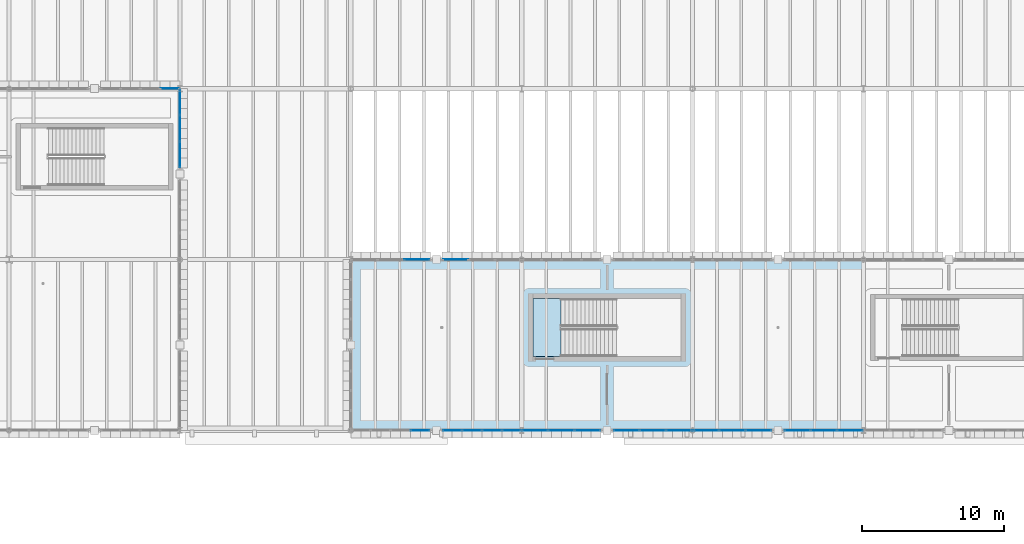
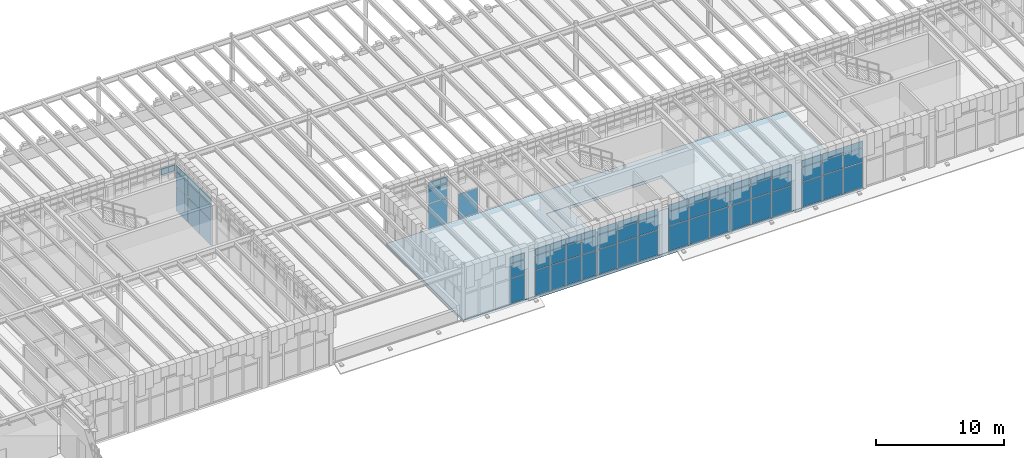
# One storey, part 50 of 100: 65 plates, 2 slabs, 10 elements without a shape of their own.
"""IFC4 building model written with IfcOpenShell, lengths in metres."""

from ifc_helpers import new_model, si_unit, direction, frame, origin, origin_2d, place, context, subcontext, project, spatial, polyline, rectangle, outline, extrude, material, layer, layer_set, type_object, element, aggregate, save


model = new_model("IFC4")

# Units and contexts
model_context = context("Model", 3, precision=1e-05, world=origin(), true_north=direction((0.0, 1.0)))
body_context = subcontext(model_context, "Body", "Model", "MODEL_VIEW")
ifc_project = project(units=[si_unit("LENGTHUNIT", "METRE"), si_unit("AREAUNIT", "SQUARE_METRE"), si_unit("VOLUMEUNIT", "CUBIC_METRE"), si_unit("PLANEANGLEUNIT", "RADIAN"), si_unit("MASSUNIT", "GRAM", prefix="KILO")], contexts=[model_context])

# Site, building, storey
site_placement = place(None, origin())
site = spatial("IfcSite", under=ifc_project, at=site_placement, CompositionType="ELEMENT")
building_placement = place(site_placement, origin())
building = spatial("IfcBuilding", under=site, at=building_placement, Name="Zlatogorsky Bluff Art Gallery", CompositionType="ELEMENT")
storey_placement = place(building_placement, frame((0.0, 0.0, 5.39990234375)))
storey = spatial("IfcBuildingStorey", under=building, at=storey_placement, Name="L01", CompositionType="ELEMENT", Elevation=5.39990234375)

# Curtain wall, plate
ifc_material_1 = material(Name="Anodised Bronze Aluminium and Low-Iron Triple Glazing", Category="aluminium")
ifc_layer_1 = layer(ifc_material_1, 0.199951171875)
ifc_layer_set_1 = layer_set([ifc_layer_1], Name="Curtain Wall CW-02")
curtain_wall_type_1 = type_object("IfcCurtainWallType", Name="Curtain Wall CW-02", PredefinedType="USERDEFINED", material=ifc_layer_set_1)
curtain_wall_1_placement = place(storey_placement, origin())
curtain_wall_1 = element("IfcCurtainWall", 1, at=curtain_wall_1_placement, inside=storey, type_object=curtain_wall_type_1, Name="Unitised curtain wall CW-02 L01 N 3.9-A", ObjectType="CURTAIN WALL", PredefinedType="USERDEFINED")
ifc_material_2 = material(Name="Low-Iron Laminated Triple Glazing", Category="glass")
ifc_layer_2 = layer(ifc_material_2, 0.035888671875)
ifc_layer_set_2 = layer_set([ifc_layer_2], Name="Glazed Curtain Panel CWP-01")
plate_type = type_object("IfcPlateType", Name="Glazed Curtain Panel CWP-01", PredefinedType="CURTAIN_PANEL", material=ifc_layer_set_2)
plate_1_placement = place(storey_placement, frame((47.2861328125, 108.0, 3.882568359375), z_axis=(0.0, 0.0, 1.0), x_axis=(-1.0, 0.0, 0.0)))
plate_1 = element("IfcPlate", 2, at=plate_1_placement, type_object=plate_type, Name="CW-02 panel 1.3", PredefinedType="CURTAIN_PANEL", context=body_context, shape_type="SweptSolid", body=[
    extrude(rectangle(XDim=1.297607421875, YDim=0.035888671875, at=origin_2d()), origin(), (0.0, 0.0, 1.0), 0.58251953125),
])
aggregate(curtain_wall_1, [plate_1])

# Curtain wall, plates
ifc_layer_3 = layer(ifc_material_1, 0.219970703125)
ifc_layer_set_3 = layer_set([ifc_layer_3], Name="Curtain Wall CW-04")
curtain_wall_type_2 = type_object("IfcCurtainWallType", Name="Curtain Wall CW-04", PredefinedType="USERDEFINED", material=ifc_layer_set_3)
curtain_wall_2_placement = place(storey_placement, origin())
curtain_wall_2 = element("IfcCurtainWall", 3, at=curtain_wall_2_placement, inside=storey, type_object=curtain_wall_type_2, Name="Unitised curtain wall CW-04 L01 E 3.9-B", ObjectType="CURTAIN WALL", PredefinedType="USERDEFINED")
plate_2_placement = place(storey_placement, frame((48.0, 103.3662109375, 0.065185546875), z_axis=(0.0, 0.0, 1.0), x_axis=(0.0, 1.0, 0.0)))
plate_2 = element("IfcPlate", 4, at=plate_2_placement, type_object=plate_type, Name="CW-04 panel 1.1", PredefinedType="CURTAIN_PANEL", context=body_context, shape_type="SweptSolid", body=[
    extrude(rectangle(XDim=1.762451171875, YDim=0.035888671875, at=origin_2d()), origin(), (0.0, 0.0, 1.0), 2.3525390625),
])
plate_3_placement = place(storey_placement, frame((48.0, 103.3662109375, 2.482666015625), z_axis=(0.0, 0.0, 1.0), x_axis=(0.0, 1.0, 0.0)))
plate_3 = element("IfcPlate", 5, at=plate_3_placement, type_object=plate_type, Name="CW-04 panel 1.2", PredefinedType="CURTAIN_PANEL", context=body_context, shape_type="SweptSolid", body=[
    extrude(rectangle(XDim=1.762451171875, YDim=0.035888671875, at=origin_2d()), origin(), (0.0, 0.0, 1.0), 1.3349609375),
])
plate_4_placement = place(storey_placement, frame((48.0, 103.3662109375, 3.882568359375), z_axis=(0.0, 0.0, 1.0), x_axis=(0.0, 1.0, 0.0)))
plate_4 = element("IfcPlate", 6, at=plate_4_placement, type_object=plate_type, Name="CW-04 panel 1.3", PredefinedType="CURTAIN_PANEL", context=body_context, shape_type="SweptSolid", body=[
    extrude(rectangle(XDim=1.762451171875, YDim=0.035888671875, at=origin_2d()), origin(), (0.0, 0.0, 1.0), 0.58251953125),
])
plate_5_placement = place(storey_placement, frame((48.0, 105.2099609375, 0.065185546875), z_axis=(0.0, 0.0, 1.0), x_axis=(0.0, 1.0, 0.0)))
plate_5 = element("IfcPlate", 7, at=plate_5_placement, type_object=plate_type, Name="CW-04 panel 2.1", PredefinedType="CURTAIN_PANEL", context=body_context, shape_type="SweptSolid", body=[
    extrude(rectangle(XDim=1.794921875, YDim=0.035888671875, at=origin_2d()), origin(), (0.0, 0.0, 1.0), 2.3525390625),
])
plate_6_placement = place(storey_placement, frame((48.0, 105.2099609375, 2.482666015625), z_axis=(0.0, 0.0, 1.0), x_axis=(0.0, 1.0, 0.0)))
plate_6 = element("IfcPlate", 8, at=plate_6_placement, type_object=plate_type, Name="CW-04 panel 2.2", PredefinedType="CURTAIN_PANEL", context=body_context, shape_type="SweptSolid", body=[
    extrude(rectangle(XDim=1.794921875, YDim=0.035888671875, at=origin_2d()), origin(), (0.0, 0.0, 1.0), 1.3349609375),
])
plate_7_placement = place(storey_placement, frame((48.0, 105.2099609375, 3.882568359375), z_axis=(0.0, 0.0, 1.0), x_axis=(0.0, 1.0, 0.0)))
plate_7 = element("IfcPlate", 9, at=plate_7_placement, type_object=plate_type, Name="CW-04 panel 2.3", PredefinedType="CURTAIN_PANEL", context=body_context, shape_type="SweptSolid", body=[
    extrude(rectangle(XDim=1.794921875, YDim=0.035888671875, at=origin_2d()), origin(), (0.0, 0.0, 1.0), 0.58251953125),
])
plate_8_placement = place(storey_placement, frame((48.0, 107.0537109375, 0.065185546875), z_axis=(0.0, 0.0, 1.0), x_axis=(0.0, 1.0, 0.0)))
plate_8 = element("IfcPlate", 10, at=plate_8_placement, type_object=plate_type, Name="CW-04 panel 3.1", PredefinedType="CURTAIN_PANEL", context=body_context, shape_type="SweptSolid", body=[
    extrude(rectangle(XDim=1.762451171875, YDim=0.035888671875, at=origin_2d()), origin(), (0.0, 0.0, 1.0), 2.3525390625),
])
plate_9_placement = place(storey_placement, frame((48.0, 107.0537109375, 2.482666015625), z_axis=(0.0, 0.0, 1.0), x_axis=(0.0, 1.0, 0.0)))
plate_9 = element("IfcPlate", 11, at=plate_9_placement, type_object=plate_type, Name="CW-04 panel 3.2", PredefinedType="CURTAIN_PANEL", context=body_context, shape_type="SweptSolid", body=[
    extrude(rectangle(XDim=1.762451171875, YDim=0.035888671875, at=origin_2d()), origin(), (0.0, 0.0, 1.0), 1.3349609375),
])
plate_10_placement = place(storey_placement, frame((48.0, 107.0537109375, 3.882568359375), z_axis=(0.0, 0.0, 1.0), x_axis=(0.0, 1.0, 0.0)))
plate_10 = element("IfcPlate", 12, at=plate_10_placement, type_object=plate_type, Name="CW-04 panel 3.3", PredefinedType="CURTAIN_PANEL", context=body_context, shape_type="SweptSolid", body=[
    extrude(rectangle(XDim=1.762451171875, YDim=0.035888671875, at=origin_2d()), origin(), (0.0, 0.0, 1.0), 0.58251953125),
])
aggregate(curtain_wall_2, [plate_2, plate_3, plate_4, plate_5, plate_6, plate_7, plate_8, plate_9, plate_10])

curtain_wall_3_placement = place(storey_placement, origin())
curtain_wall_3 = element("IfcCurtainWall", 13, at=curtain_wall_3_placement, inside=storey, type_object=curtain_wall_type_1, Name="Unitised curtain wall CW-02 L01 S 5.8-A", ObjectType="CURTAIN WALL", PredefinedType="USERDEFINED")
plate_11_placement = place(storey_placement, frame((64.8662109375, 84.0, 0.065185546875), z_axis=(0.0, 0.0, 1.0), x_axis=(1.0, 0.0, 0.0)))
plate_11 = element("IfcPlate", 14, at=plate_11_placement, type_object=plate_type, Name="CW-02 panel 4.1", PredefinedType="CURTAIN_PANEL", context=body_context, shape_type="SweptSolid", body=[
    extrude(rectangle(XDim=1.297607421875, YDim=0.035888671875, at=origin_2d()), origin(), (0.0, 0.0, 1.0), 2.3525390625),
])
plate_12_placement = place(storey_placement, frame((64.8662109375, 84.0, 2.482666015625), z_axis=(0.0, 0.0, 1.0), x_axis=(1.0, 0.0, 0.0)))
plate_12 = element("IfcPlate", 15, at=plate_12_placement, type_object=plate_type, Name="CW-02 panel 4.2", PredefinedType="CURTAIN_PANEL", context=body_context, shape_type="SweptSolid", body=[
    extrude(rectangle(XDim=1.297607421875, YDim=0.035888671875, at=origin_2d()), origin(), (0.0, 0.0, 1.0), 1.3349609375),
])
plate_13_placement = place(storey_placement, frame((64.8662109375, 84.0, 3.882568359375), z_axis=(0.0, 0.0, 1.0), x_axis=(1.0, 0.0, 0.0)))
plate_13 = element("IfcPlate", 16, at=plate_13_placement, type_object=plate_type, Name="CW-02 panel 4.3", PredefinedType="CURTAIN_PANEL", context=body_context, shape_type="SweptSolid", body=[
    extrude(rectangle(XDim=1.297607421875, YDim=0.035888671875, at=origin_2d()), origin(), (0.0, 0.0, 1.0), 0.58251953125),
])
aggregate(curtain_wall_3, [plate_11, plate_12, plate_13])

curtain_wall_4_placement = place(storey_placement, origin())
curtain_wall_4 = element("IfcCurtainWall", 17, at=curtain_wall_4_placement, inside=storey, type_object=curtain_wall_type_1, Name="Unitised curtain wall CW-02 L01 S 5.8-B", ObjectType="CURTAIN WALL", PredefinedType="USERDEFINED")
plate_14_placement = place(storey_placement, frame((67.1337890625, 84.0, 0.065185546875), z_axis=(0.0, 0.0, 1.0), x_axis=(1.0, 0.0, 0.0)))
plate_14 = element("IfcPlate", 18, at=plate_14_placement, type_object=plate_type, Name="CW-02 panel 1.1", PredefinedType="CURTAIN_PANEL", context=body_context, shape_type="SweptSolid", body=[
    extrude(rectangle(XDim=1.297607421875, YDim=0.035888671875, at=origin_2d()), origin(), (0.0, 0.0, 1.0), 2.3525390625),
])
plate_15_placement = place(storey_placement, frame((67.1337890625, 84.0, 2.482666015625), z_axis=(0.0, 0.0, 1.0), x_axis=(1.0, 0.0, 0.0)))
plate_15 = element("IfcPlate", 19, at=plate_15_placement, type_object=plate_type, Name="CW-02 panel 1.2", PredefinedType="CURTAIN_PANEL", context=body_context, shape_type="SweptSolid", body=[
    extrude(rectangle(XDim=1.297607421875, YDim=0.035888671875, at=origin_2d()), origin(), (0.0, 0.0, 1.0), 1.3349609375),
])
plate_16_placement = place(storey_placement, frame((67.1337890625, 84.0, 3.882568359375), z_axis=(0.0, 0.0, 1.0), x_axis=(1.0, 0.0, 0.0)))
plate_16 = element("IfcPlate", 20, at=plate_16_placement, type_object=plate_type, Name="CW-02 panel 1.3", PredefinedType="CURTAIN_PANEL", context=body_context, shape_type="SweptSolid", body=[
    extrude(rectangle(XDim=1.297607421875, YDim=0.035888671875, at=origin_2d()), origin(), (0.0, 0.0, 1.0), 0.58251953125),
])
plate_17_placement = place(storey_placement, frame((68.512451171875, 84.0, 0.065185546875), z_axis=(0.0, 0.0, 1.0), x_axis=(1.0, 0.0, 0.0)))
plate_17 = element("IfcPlate", 21, at=plate_17_placement, type_object=plate_type, Name="CW-02 panel 2.1", PredefinedType="CURTAIN_PANEL", context=body_context, shape_type="SweptSolid", body=[
    extrude(rectangle(XDim=1.330078125, YDim=0.035888671875, at=origin_2d()), origin(), (0.0, 0.0, 1.0), 2.3525390625),
])
plate_18_placement = place(storey_placement, frame((68.512451171875, 84.0, 2.482666015625), z_axis=(0.0, 0.0, 1.0), x_axis=(1.0, 0.0, 0.0)))
plate_18 = element("IfcPlate", 22, at=plate_18_placement, type_object=plate_type, Name="CW-02 panel 2.2", PredefinedType="CURTAIN_PANEL", context=body_context, shape_type="SweptSolid", body=[
    extrude(rectangle(XDim=1.330078125, YDim=0.035888671875, at=origin_2d()), origin(), (0.0, 0.0, 1.0), 1.3349609375),
])
plate_19_placement = place(storey_placement, frame((68.512451171875, 84.0, 3.882568359375), z_axis=(0.0, 0.0, 1.0), x_axis=(1.0, 0.0, 0.0)))
plate_19 = element("IfcPlate", 23, at=plate_19_placement, type_object=plate_type, Name="CW-02 panel 2.3", PredefinedType="CURTAIN_PANEL", context=body_context, shape_type="SweptSolid", body=[
    extrude(rectangle(XDim=1.330078125, YDim=0.035888671875, at=origin_2d()), origin(), (0.0, 0.0, 1.0), 0.58251953125),
])
plate_20_placement = place(storey_placement, frame((69.907470703125, 84.0, 0.065185546875), z_axis=(0.0, 0.0, 1.0), x_axis=(1.0, 0.0, 0.0)))
plate_20 = element("IfcPlate", 24, at=plate_20_placement, type_object=plate_type, Name="CW-02 panel 3.1", PredefinedType="CURTAIN_PANEL", context=body_context, shape_type="SweptSolid", body=[
    extrude(rectangle(XDim=1.330078125, YDim=0.035888671875, at=origin_2d()), origin(), (0.0, 0.0, 1.0), 2.3525390625),
])
plate_21_placement = place(storey_placement, frame((69.907470703125, 84.0, 2.482666015625), z_axis=(0.0, 0.0, 1.0), x_axis=(1.0, 0.0, 0.0)))
plate_21 = element("IfcPlate", 25, at=plate_21_placement, type_object=plate_type, Name="CW-02 panel 3.2", PredefinedType="CURTAIN_PANEL", context=body_context, shape_type="SweptSolid", body=[
    extrude(rectangle(XDim=1.330078125, YDim=0.035888671875, at=origin_2d()), origin(), (0.0, 0.0, 1.0), 1.3349609375),
])
plate_22_placement = place(storey_placement, frame((69.907470703125, 84.0, 3.882568359375), z_axis=(0.0, 0.0, 1.0), x_axis=(1.0, 0.0, 0.0)))
plate_22 = element("IfcPlate", 26, at=plate_22_placement, type_object=plate_type, Name="CW-02 panel 3.3", PredefinedType="CURTAIN_PANEL", context=body_context, shape_type="SweptSolid", body=[
    extrude(rectangle(XDim=1.330078125, YDim=0.035888671875, at=origin_2d()), origin(), (0.0, 0.0, 1.0), 0.58251953125),
])
plate_23_placement = place(storey_placement, frame((71.2861328125, 84.0, 0.065185546875), z_axis=(0.0, 0.0, 1.0), x_axis=(1.0, 0.0, 0.0)))
plate_23 = element("IfcPlate", 27, at=plate_23_placement, type_object=plate_type, Name="CW-02 panel 4.1", PredefinedType="CURTAIN_PANEL", context=body_context, shape_type="SweptSolid", body=[
    extrude(rectangle(XDim=1.297607421875, YDim=0.035888671875, at=origin_2d()), origin(), (0.0, 0.0, 1.0), 2.3525390625),
])
plate_24_placement = place(storey_placement, frame((71.2861328125, 84.0, 2.482666015625), z_axis=(0.0, 0.0, 1.0), x_axis=(1.0, 0.0, 0.0)))
plate_24 = element("IfcPlate", 28, at=plate_24_placement, type_object=plate_type, Name="CW-02 panel 4.2", PredefinedType="CURTAIN_PANEL", context=body_context, shape_type="SweptSolid", body=[
    extrude(rectangle(XDim=1.297607421875, YDim=0.035888671875, at=origin_2d()), origin(), (0.0, 0.0, 1.0), 1.3349609375),
])
plate_25_placement = place(storey_placement, frame((71.2861328125, 84.0, 3.882568359375), z_axis=(0.0, 0.0, 1.0), x_axis=(1.0, 0.0, 0.0)))
plate_25 = element("IfcPlate", 29, at=plate_25_placement, type_object=plate_type, Name="CW-02 panel 4.3", PredefinedType="CURTAIN_PANEL", context=body_context, shape_type="SweptSolid", body=[
    extrude(rectangle(XDim=1.297607421875, YDim=0.035888671875, at=origin_2d()), origin(), (0.0, 0.0, 1.0), 0.58251953125),
])
aggregate(curtain_wall_4, [plate_14, plate_15, plate_16, plate_17, plate_18, plate_19, plate_20, plate_21, plate_22, plate_23, plate_24, plate_25])

# Curtain wall, plate
curtain_wall_5_placement = place(storey_placement, origin())
curtain_wall_5 = element("IfcCurtainWall", 30, at=curtain_wall_5_placement, inside=storey, type_object=curtain_wall_type_2, Name="Unitised curtain wall CW-04 L01 N 5.8-A", ObjectType="CURTAIN WALL", PredefinedType="USERDEFINED")
plate_26_placement = place(storey_placement, frame((67.3662109375, 96.0, 0.065185546875), z_axis=(0.0, 0.0, 1.0), x_axis=(-1.0, 0.0, 0.0)))
plate_26 = element("IfcPlate", 31, at=plate_26_placement, type_object=plate_type, Name="CW-04 panel 3.1", PredefinedType="CURTAIN_PANEL", context=body_context, shape_type="SweptSolid", body=[
    extrude(rectangle(XDim=1.762451171875, YDim=0.035888671875, at=origin_2d()), origin(), (0.0, 0.0, 1.0), 2.3525390625),
])
aggregate(curtain_wall_5, [plate_26])

# Curtain wall, plates
curtain_wall_6_placement = place(storey_placement, origin())
curtain_wall_6 = element("IfcCurtainWall", 32, at=curtain_wall_6_placement, inside=storey, type_object=curtain_wall_type_2, Name="Unitised curtain wall CW-04 L01 N 5.8-B", ObjectType="CURTAIN WALL", PredefinedType="USERDEFINED")
plate_27_placement = place(storey_placement, frame((64.6337890625, 96.0, 0.065185546875), z_axis=(0.0, 0.0, 1.0), x_axis=(-1.0, 0.0, 0.0)))
plate_27 = element("IfcPlate", 33, at=plate_27_placement, type_object=plate_type, Name="CW-04 panel 1.1", PredefinedType="CURTAIN_PANEL", context=body_context, shape_type="SweptSolid", body=[
    extrude(rectangle(XDim=1.762451171875, YDim=0.035888671875, at=origin_2d()), origin(), (0.0, 0.0, 1.0), 2.3525390625),
])
plate_28_placement = place(storey_placement, frame((64.6337890625, 96.0, 2.482666015625), z_axis=(0.0, 0.0, 1.0), x_axis=(-1.0, 0.0, 0.0)))
plate_28 = element("IfcPlate", 34, at=plate_28_placement, type_object=plate_type, Name="CW-04 panel 1.2", PredefinedType="CURTAIN_PANEL", context=body_context, shape_type="SweptSolid", body=[
    extrude(rectangle(XDim=1.762451171875, YDim=0.035888671875, at=origin_2d()), origin(), (0.0, 0.0, 1.0), 1.3349609375),
])
plate_29_placement = place(storey_placement, frame((64.6337890625, 96.0, 3.882568359375), z_axis=(0.0, 0.0, 1.0), x_axis=(-1.0, 0.0, 0.0)))
plate_29 = element("IfcPlate", 35, at=plate_29_placement, type_object=plate_type, Name="CW-04 panel 1.3", PredefinedType="CURTAIN_PANEL", context=body_context, shape_type="SweptSolid", body=[
    extrude(rectangle(XDim=1.762451171875, YDim=0.035888671875, at=origin_2d()), origin(), (0.0, 0.0, 1.0), 0.58251953125),
])
aggregate(curtain_wall_6, [plate_27, plate_28, plate_29])

curtain_wall_7_placement = place(storey_placement, origin())
curtain_wall_7 = element("IfcCurtainWall", 36, at=curtain_wall_7_placement, inside=storey, type_object=curtain_wall_type_2, Name="Unitised curtain wall CW-04 L01 S 6.8-A", ObjectType="CURTAIN WALL", PredefinedType="USERDEFINED")
plate_30_placement = place(storey_placement, frame((72.9462890625, 84.0, 0.065185546875), z_axis=(0.0, 0.0, 1.0), x_axis=(1.0, 0.0, 0.0)))
plate_30 = element("IfcPlate", 37, at=plate_30_placement, type_object=plate_type, Name="CW-04 panel 1.1", PredefinedType="CURTAIN_PANEL", context=body_context, shape_type="SweptSolid", body=[
    extrude(rectangle(XDim=1.762451171875, YDim=0.035888671875, at=origin_2d()), origin(), (0.0, 0.0, 1.0), 2.3525390625),
])
plate_31_placement = place(storey_placement, frame((72.9462890625, 84.0, 2.482666015625), z_axis=(0.0, 0.0, 1.0), x_axis=(1.0, 0.0, 0.0)))
plate_31 = element("IfcPlate", 38, at=plate_31_placement, type_object=plate_type, Name="CW-04 panel 1.2", PredefinedType="CURTAIN_PANEL", context=body_context, shape_type="SweptSolid", body=[
    extrude(rectangle(XDim=1.762451171875, YDim=0.035888671875, at=origin_2d()), origin(), (0.0, 0.0, 1.0), 1.3349609375),
])
plate_32_placement = place(storey_placement, frame((72.9462890625, 84.0, 3.882568359375), z_axis=(0.0, 0.0, 1.0), x_axis=(1.0, 0.0, 0.0)))
plate_32 = element("IfcPlate", 39, at=plate_32_placement, type_object=plate_type, Name="CW-04 panel 1.3", PredefinedType="CURTAIN_PANEL", context=body_context, shape_type="SweptSolid", body=[
    extrude(rectangle(XDim=1.762451171875, YDim=0.035888671875, at=origin_2d()), origin(), (0.0, 0.0, 1.0), 0.58251953125),
])
plate_33_placement = place(storey_placement, frame((74.7900390625, 84.0, 0.065185546875), z_axis=(0.0, 0.0, 1.0), x_axis=(1.0, 0.0, 0.0)))
plate_33 = element("IfcPlate", 40, at=plate_33_placement, type_object=plate_type, Name="CW-04 panel 2.1", PredefinedType="CURTAIN_PANEL", context=body_context, shape_type="SweptSolid", body=[
    extrude(rectangle(XDim=1.794921875, YDim=0.035888671875, at=origin_2d()), origin(), (0.0, 0.0, 1.0), 2.3525390625),
])
plate_34_placement = place(storey_placement, frame((74.7900390625, 84.0, 2.482666015625), z_axis=(0.0, 0.0, 1.0), x_axis=(1.0, 0.0, 0.0)))
plate_34 = element("IfcPlate", 41, at=plate_34_placement, type_object=plate_type, Name="CW-04 panel 2.2", PredefinedType="CURTAIN_PANEL", context=body_context, shape_type="SweptSolid", body=[
    extrude(rectangle(XDim=1.794921875, YDim=0.035888671875, at=origin_2d()), origin(), (0.0, 0.0, 1.0), 1.3349609375),
])
plate_35_placement = place(storey_placement, frame((74.7900390625, 84.0, 3.882568359375), z_axis=(0.0, 0.0, 1.0), x_axis=(1.0, 0.0, 0.0)))
plate_35 = element("IfcPlate", 42, at=plate_35_placement, type_object=plate_type, Name="CW-04 panel 2.3", PredefinedType="CURTAIN_PANEL", context=body_context, shape_type="SweptSolid", body=[
    extrude(rectangle(XDim=1.794921875, YDim=0.035888671875, at=origin_2d()), origin(), (0.0, 0.0, 1.0), 0.58251953125),
])
plate_36_placement = place(storey_placement, frame((76.6337890625, 84.0, 0.065185546875), z_axis=(0.0, 0.0, 1.0), x_axis=(1.0, 0.0, 0.0)))
plate_36 = element("IfcPlate", 43, at=plate_36_placement, type_object=plate_type, Name="CW-04 panel 3.1", PredefinedType="CURTAIN_PANEL", context=body_context, shape_type="SweptSolid", body=[
    extrude(rectangle(XDim=1.762451171875, YDim=0.035888671875, at=origin_2d()), origin(), (0.0, 0.0, 1.0), 2.3525390625),
])
plate_37_placement = place(storey_placement, frame((76.6337890625, 84.0, 2.482666015625), z_axis=(0.0, 0.0, 1.0), x_axis=(1.0, 0.0, 0.0)))
plate_37 = element("IfcPlate", 44, at=plate_37_placement, type_object=plate_type, Name="CW-04 panel 3.2", PredefinedType="CURTAIN_PANEL", context=body_context, shape_type="SweptSolid", body=[
    extrude(rectangle(XDim=1.762451171875, YDim=0.035888671875, at=origin_2d()), origin(), (0.0, 0.0, 1.0), 1.3349609375),
])
plate_38_placement = place(storey_placement, frame((76.6337890625, 84.0, 3.882568359375), z_axis=(0.0, 0.0, 1.0), x_axis=(1.0, 0.0, 0.0)))
plate_38 = element("IfcPlate", 45, at=plate_38_placement, type_object=plate_type, Name="CW-04 panel 3.3", PredefinedType="CURTAIN_PANEL", context=body_context, shape_type="SweptSolid", body=[
    extrude(rectangle(XDim=1.762451171875, YDim=0.035888671875, at=origin_2d()), origin(), (0.0, 0.0, 1.0), 0.58251953125),
])
aggregate(curtain_wall_7, [plate_30, plate_31, plate_32, plate_33, plate_34, plate_35, plate_36, plate_37, plate_38])

curtain_wall_8_placement = place(storey_placement, origin())
curtain_wall_8 = element("IfcCurtainWall", 46, at=curtain_wall_8_placement, inside=storey, type_object=curtain_wall_type_2, Name="Unitised curtain wall CW-04 L01 S 6.8-B", ObjectType="CURTAIN WALL", PredefinedType="USERDEFINED")
plate_39_placement = place(storey_placement, frame((79.3662109375, 84.0, 0.065185546875), z_axis=(0.0, 0.0, 1.0), x_axis=(1.0, 0.0, 0.0)))
plate_39 = element("IfcPlate", 47, at=plate_39_placement, type_object=plate_type, Name="CW-04 panel 1.1", PredefinedType="CURTAIN_PANEL", context=body_context, shape_type="SweptSolid", body=[
    extrude(rectangle(XDim=1.762451171875, YDim=0.035888671875, at=origin_2d()), origin(), (0.0, 0.0, 1.0), 2.3525390625),
])
plate_40_placement = place(storey_placement, frame((79.3662109375, 84.0, 2.482666015625), z_axis=(0.0, 0.0, 1.0), x_axis=(1.0, 0.0, 0.0)))
plate_40 = element("IfcPlate", 48, at=plate_40_placement, type_object=plate_type, Name="CW-04 panel 1.2", PredefinedType="CURTAIN_PANEL", context=body_context, shape_type="SweptSolid", body=[
    extrude(rectangle(XDim=1.762451171875, YDim=0.035888671875, at=origin_2d()), origin(), (0.0, 0.0, 1.0), 1.3349609375),
])
plate_41_placement = place(storey_placement, frame((79.3662109375, 84.0, 3.882568359375), z_axis=(0.0, 0.0, 1.0), x_axis=(1.0, 0.0, 0.0)))
plate_41 = element("IfcPlate", 49, at=plate_41_placement, type_object=plate_type, Name="CW-04 panel 1.3", PredefinedType="CURTAIN_PANEL", context=body_context, shape_type="SweptSolid", body=[
    extrude(rectangle(XDim=1.762451171875, YDim=0.035888671875, at=origin_2d()), origin(), (0.0, 0.0, 1.0), 0.58251953125),
])
plate_42_placement = place(storey_placement, frame((81.2099609375, 84.0, 0.065185546875), z_axis=(0.0, 0.0, 1.0), x_axis=(1.0, 0.0, 0.0)))
plate_42 = element("IfcPlate", 50, at=plate_42_placement, type_object=plate_type, Name="CW-04 panel 2.1", PredefinedType="CURTAIN_PANEL", context=body_context, shape_type="SweptSolid", body=[
    extrude(rectangle(XDim=1.794921875, YDim=0.035888671875, at=origin_2d()), origin(), (0.0, 0.0, 1.0), 2.3525390625),
])
plate_43_placement = place(storey_placement, frame((81.2099609375, 84.0, 2.482666015625), z_axis=(0.0, 0.0, 1.0), x_axis=(1.0, 0.0, 0.0)))
plate_43 = element("IfcPlate", 51, at=plate_43_placement, type_object=plate_type, Name="CW-04 panel 2.2", PredefinedType="CURTAIN_PANEL", context=body_context, shape_type="SweptSolid", body=[
    extrude(rectangle(XDim=1.794921875, YDim=0.035888671875, at=origin_2d()), origin(), (0.0, 0.0, 1.0), 1.3349609375),
])
plate_44_placement = place(storey_placement, frame((81.2099609375, 84.0, 3.882568359375), z_axis=(0.0, 0.0, 1.0), x_axis=(1.0, 0.0, 0.0)))
plate_44 = element("IfcPlate", 52, at=plate_44_placement, type_object=plate_type, Name="CW-04 panel 2.3", PredefinedType="CURTAIN_PANEL", context=body_context, shape_type="SweptSolid", body=[
    extrude(rectangle(XDim=1.794921875, YDim=0.035888671875, at=origin_2d()), origin(), (0.0, 0.0, 1.0), 0.58251953125),
])
plate_45_placement = place(storey_placement, frame((83.0537109375, 84.0, 0.065185546875), z_axis=(0.0, 0.0, 1.0), x_axis=(1.0, 0.0, 0.0)))
plate_45 = element("IfcPlate", 53, at=plate_45_placement, type_object=plate_type, Name="CW-04 panel 3.1", PredefinedType="CURTAIN_PANEL", context=body_context, shape_type="SweptSolid", body=[
    extrude(rectangle(XDim=1.762451171875, YDim=0.035888671875, at=origin_2d()), origin(), (0.0, 0.0, 1.0), 2.3525390625),
])
plate_46_placement = place(storey_placement, frame((83.0537109375, 84.0, 2.482666015625), z_axis=(0.0, 0.0, 1.0), x_axis=(1.0, 0.0, 0.0)))
plate_46 = element("IfcPlate", 54, at=plate_46_placement, type_object=plate_type, Name="CW-04 panel 3.2", PredefinedType="CURTAIN_PANEL", context=body_context, shape_type="SweptSolid", body=[
    extrude(rectangle(XDim=1.762451171875, YDim=0.035888671875, at=origin_2d()), origin(), (0.0, 0.0, 1.0), 1.3349609375),
])
plate_47_placement = place(storey_placement, frame((83.0537109375, 84.0, 3.882568359375), z_axis=(0.0, 0.0, 1.0), x_axis=(1.0, 0.0, 0.0)))
plate_47 = element("IfcPlate", 55, at=plate_47_placement, type_object=plate_type, Name="CW-04 panel 3.3", PredefinedType="CURTAIN_PANEL", context=body_context, shape_type="SweptSolid", body=[
    extrude(rectangle(XDim=1.762451171875, YDim=0.035888671875, at=origin_2d()), origin(), (0.0, 0.0, 1.0), 0.58251953125),
])
aggregate(curtain_wall_8, [plate_39, plate_40, plate_41, plate_42, plate_43, plate_44, plate_45, plate_46, plate_47])

curtain_wall_9_placement = place(storey_placement, origin())
curtain_wall_9 = element("IfcCurtainWall", 56, at=curtain_wall_9_placement, inside=storey, type_object=curtain_wall_type_2, Name="Unitised curtain wall CW-04 L01 S 7.8-A", ObjectType="CURTAIN WALL", PredefinedType="USERDEFINED")
plate_48_placement = place(storey_placement, frame((84.9462890625, 84.0, 0.065185546875), z_axis=(0.0, 0.0, 1.0), x_axis=(1.0, 0.0, 0.0)))
plate_48 = element("IfcPlate", 57, at=plate_48_placement, type_object=plate_type, Name="CW-04 panel 1.1", PredefinedType="CURTAIN_PANEL", context=body_context, shape_type="SweptSolid", body=[
    extrude(rectangle(XDim=1.762451171875, YDim=0.035888671875, at=origin_2d()), origin(), (0.0, 0.0, 1.0), 2.3525390625),
])
plate_49_placement = place(storey_placement, frame((84.9462890625, 84.0, 2.482666015625), z_axis=(0.0, 0.0, 1.0), x_axis=(1.0, 0.0, 0.0)))
plate_49 = element("IfcPlate", 58, at=plate_49_placement, type_object=plate_type, Name="CW-04 panel 1.2", PredefinedType="CURTAIN_PANEL", context=body_context, shape_type="SweptSolid", body=[
    extrude(rectangle(XDim=1.762451171875, YDim=0.035888671875, at=origin_2d()), origin(), (0.0, 0.0, 1.0), 1.3349609375),
])
plate_50_placement = place(storey_placement, frame((84.9462890625, 84.0, 3.882568359375), z_axis=(0.0, 0.0, 1.0), x_axis=(1.0, 0.0, 0.0)))
plate_50 = element("IfcPlate", 59, at=plate_50_placement, type_object=plate_type, Name="CW-04 panel 1.3", PredefinedType="CURTAIN_PANEL", context=body_context, shape_type="SweptSolid", body=[
    extrude(rectangle(XDim=1.762451171875, YDim=0.035888671875, at=origin_2d()), origin(), (0.0, 0.0, 1.0), 0.58251953125),
])
plate_51_placement = place(storey_placement, frame((86.7900390625, 84.0, 0.065185546875), z_axis=(0.0, 0.0, 1.0), x_axis=(1.0, 0.0, 0.0)))
plate_51 = element("IfcPlate", 60, at=plate_51_placement, type_object=plate_type, Name="CW-04 panel 2.1", PredefinedType="CURTAIN_PANEL", context=body_context, shape_type="SweptSolid", body=[
    extrude(rectangle(XDim=1.794921875, YDim=0.035888671875, at=origin_2d()), origin(), (0.0, 0.0, 1.0), 2.3525390625),
])
plate_52_placement = place(storey_placement, frame((86.7900390625, 84.0, 2.482666015625), z_axis=(0.0, 0.0, 1.0), x_axis=(1.0, 0.0, 0.0)))
plate_52 = element("IfcPlate", 61, at=plate_52_placement, type_object=plate_type, Name="CW-04 panel 2.2", PredefinedType="CURTAIN_PANEL", context=body_context, shape_type="SweptSolid", body=[
    extrude(rectangle(XDim=1.794921875, YDim=0.035888671875, at=origin_2d()), origin(), (0.0, 0.0, 1.0), 1.3349609375),
])
plate_53_placement = place(storey_placement, frame((86.7900390625, 84.0, 3.882568359375), z_axis=(0.0, 0.0, 1.0), x_axis=(1.0, 0.0, 0.0)))
plate_53 = element("IfcPlate", 62, at=plate_53_placement, type_object=plate_type, Name="CW-04 panel 2.3", PredefinedType="CURTAIN_PANEL", context=body_context, shape_type="SweptSolid", body=[
    extrude(rectangle(XDim=1.794921875, YDim=0.035888671875, at=origin_2d()), origin(), (0.0, 0.0, 1.0), 0.58251953125),
])
plate_54_placement = place(storey_placement, frame((88.6337890625, 84.0, 0.065185546875), z_axis=(0.0, 0.0, 1.0), x_axis=(1.0, 0.0, 0.0)))
plate_54 = element("IfcPlate", 63, at=plate_54_placement, type_object=plate_type, Name="CW-04 panel 3.1", PredefinedType="CURTAIN_PANEL", context=body_context, shape_type="SweptSolid", body=[
    extrude(rectangle(XDim=1.762451171875, YDim=0.035888671875, at=origin_2d()), origin(), (0.0, 0.0, 1.0), 2.3525390625),
])
plate_55_placement = place(storey_placement, frame((88.6337890625, 84.0, 2.482666015625), z_axis=(0.0, 0.0, 1.0), x_axis=(1.0, 0.0, 0.0)))
plate_55 = element("IfcPlate", 64, at=plate_55_placement, type_object=plate_type, Name="CW-04 panel 3.2", PredefinedType="CURTAIN_PANEL", context=body_context, shape_type="SweptSolid", body=[
    extrude(rectangle(XDim=1.762451171875, YDim=0.035888671875, at=origin_2d()), origin(), (0.0, 0.0, 1.0), 1.3349609375),
])
plate_56_placement = place(storey_placement, frame((88.6337890625, 84.0, 3.882568359375), z_axis=(0.0, 0.0, 1.0), x_axis=(1.0, 0.0, 0.0)))
plate_56 = element("IfcPlate", 65, at=plate_56_placement, type_object=plate_type, Name="CW-04 panel 3.3", PredefinedType="CURTAIN_PANEL", context=body_context, shape_type="SweptSolid", body=[
    extrude(rectangle(XDim=1.762451171875, YDim=0.035888671875, at=origin_2d()), origin(), (0.0, 0.0, 1.0), 0.58251953125),
])
aggregate(curtain_wall_9, [plate_48, plate_49, plate_50, plate_51, plate_52, plate_53, plate_54, plate_55, plate_56])

curtain_wall_10_placement = place(storey_placement, origin())
curtain_wall_10 = element("IfcCurtainWall", 66, at=curtain_wall_10_placement, inside=storey, type_object=curtain_wall_type_2, Name="Unitised curtain wall CW-04 L01 S 7.8-B", ObjectType="CURTAIN WALL", PredefinedType="USERDEFINED")
plate_57_placement = place(storey_placement, frame((91.3662109375, 84.0, 0.065185546875), z_axis=(0.0, 0.0, 1.0), x_axis=(1.0, 0.0, 0.0)))
plate_57 = element("IfcPlate", 67, at=plate_57_placement, type_object=plate_type, Name="CW-04 panel 1.1", PredefinedType="CURTAIN_PANEL", context=body_context, shape_type="SweptSolid", body=[
    extrude(rectangle(XDim=1.762451171875, YDim=0.035888671875, at=origin_2d()), origin(), (0.0, 0.0, 1.0), 2.3525390625),
])
plate_58_placement = place(storey_placement, frame((91.3662109375, 84.0, 2.482666015625), z_axis=(0.0, 0.0, 1.0), x_axis=(1.0, 0.0, 0.0)))
plate_58 = element("IfcPlate", 68, at=plate_58_placement, type_object=plate_type, Name="CW-04 panel 1.2", PredefinedType="CURTAIN_PANEL", context=body_context, shape_type="SweptSolid", body=[
    extrude(rectangle(XDim=1.762451171875, YDim=0.035888671875, at=origin_2d()), origin(), (0.0, 0.0, 1.0), 1.3349609375),
])
plate_59_placement = place(storey_placement, frame((91.3662109375, 84.0, 3.882568359375), z_axis=(0.0, 0.0, 1.0), x_axis=(1.0, 0.0, 0.0)))
plate_59 = element("IfcPlate", 69, at=plate_59_placement, type_object=plate_type, Name="CW-04 panel 1.3", PredefinedType="CURTAIN_PANEL", context=body_context, shape_type="SweptSolid", body=[
    extrude(rectangle(XDim=1.762451171875, YDim=0.035888671875, at=origin_2d()), origin(), (0.0, 0.0, 1.0), 0.58251953125),
])
plate_60_placement = place(storey_placement, frame((93.2099609375, 84.0, 0.065185546875), z_axis=(0.0, 0.0, 1.0), x_axis=(1.0, 0.0, 0.0)))
plate_60 = element("IfcPlate", 70, at=plate_60_placement, type_object=plate_type, Name="CW-04 panel 2.1", PredefinedType="CURTAIN_PANEL", context=body_context, shape_type="SweptSolid", body=[
    extrude(rectangle(XDim=1.794921875, YDim=0.035888671875, at=origin_2d()), origin(), (0.0, 0.0, 1.0), 2.3525390625),
])
plate_61_placement = place(storey_placement, frame((93.2099609375, 84.0, 2.482666015625), z_axis=(0.0, 0.0, 1.0), x_axis=(1.0, 0.0, 0.0)))
plate_61 = element("IfcPlate", 71, at=plate_61_placement, type_object=plate_type, Name="CW-04 panel 2.2", PredefinedType="CURTAIN_PANEL", context=body_context, shape_type="SweptSolid", body=[
    extrude(rectangle(XDim=1.794921875, YDim=0.035888671875, at=origin_2d()), origin(), (0.0, 0.0, 1.0), 1.3349609375),
])
plate_62_placement = place(storey_placement, frame((93.2099609375, 84.0, 3.882568359375), z_axis=(0.0, 0.0, 1.0), x_axis=(1.0, 0.0, 0.0)))
plate_62 = element("IfcPlate", 72, at=plate_62_placement, type_object=plate_type, Name="CW-04 panel 2.3", PredefinedType="CURTAIN_PANEL", context=body_context, shape_type="SweptSolid", body=[
    extrude(rectangle(XDim=1.794921875, YDim=0.035888671875, at=origin_2d()), origin(), (0.0, 0.0, 1.0), 0.58251953125),
])
plate_63_placement = place(storey_placement, frame((95.0537109375, 84.0, 0.065185546875), z_axis=(0.0, 0.0, 1.0), x_axis=(1.0, 0.0, 0.0)))
plate_63 = element("IfcPlate", 73, at=plate_63_placement, type_object=plate_type, Name="CW-04 panel 3.1", PredefinedType="CURTAIN_PANEL", context=body_context, shape_type="SweptSolid", body=[
    extrude(rectangle(XDim=1.762451171875, YDim=0.035888671875, at=origin_2d()), origin(), (0.0, 0.0, 1.0), 2.3525390625),
])
plate_64_placement = place(storey_placement, frame((95.0537109375, 84.0, 2.482666015625), z_axis=(0.0, 0.0, 1.0), x_axis=(1.0, 0.0, 0.0)))
plate_64 = element("IfcPlate", 74, at=plate_64_placement, type_object=plate_type, Name="CW-04 panel 3.2", PredefinedType="CURTAIN_PANEL", context=body_context, shape_type="SweptSolid", body=[
    extrude(rectangle(XDim=1.762451171875, YDim=0.035888671875, at=origin_2d()), origin(), (0.0, 0.0, 1.0), 1.3349609375),
])
plate_65_placement = place(storey_placement, frame((95.0537109375, 84.0, 3.882568359375), z_axis=(0.0, 0.0, 1.0), x_axis=(1.0, 0.0, 0.0)))
plate_65 = element("IfcPlate", 75, at=plate_65_placement, type_object=plate_type, Name="CW-04 panel 3.3", PredefinedType="CURTAIN_PANEL", context=body_context, shape_type="SweptSolid", body=[
    extrude(rectangle(XDim=1.762451171875, YDim=0.035888671875, at=origin_2d()), origin(), (0.0, 0.0, 1.0), 0.58251953125),
])
aggregate(curtain_wall_10, [plate_57, plate_58, plate_59, plate_60, plate_61, plate_62, plate_63, plate_64, plate_65])

# Slabs
ifc_material_3 = material(Name="Concrete C30/37", Category="concrete")
ifc_layer_4 = layer(ifc_material_3, 0.260009765625)
ifc_layer_set_4 = layer_set([ifc_layer_4], Name="Slab SL-01 260mm")
slab_type = type_object("IfcSlabType", Name="Slab SL-01 260mm", PredefinedType="FLOOR", material=ifc_layer_set_4)
slab_1_placement = place(storey_placement, frame((0.0, 0.0, -0.260009765625)))
element("IfcSlab", 76, at=slab_1_placement, inside=storey, type_object=slab_type, Name="L01 structural floor slab panel 08", PredefinedType="FLOOR", context=body_context, shape_type="SweptSolid", body=[
    extrude(outline(polyline([(60.0, 96.0), (72.0, 96.0), (84.0, 96.0), (96.0, 96.0), (96.0, 84.0), (84.0, 84.0), (72.0, 84.0), (60.0, 84.0), (60.0, 96.0)]), holes=[polyline([(83.199951171875, 89.199951171875), (83.199951171875, 93.25), (72.800048828125, 93.25), (72.800048828125, 89.199951171875), (83.199951171875, 89.199951171875)])]), origin(), (0.0, 0.0, 1.0), 0.260009765625),
])
slab_2_placement = place(storey_placement, frame((0.0, 0.0, -0.260009765625)))
element("IfcSlab", 77, at=slab_2_placement, inside=storey, type_object=slab_type, Name="L01 stair ST-08 structural floor landing slab", PredefinedType="FLOOR", context=body_context, shape_type="SweptSolid", body=[
    extrude(outline(polyline([(72.800048828125, 89.199951171875), (74.75, 89.199951171875), (74.75, 93.25), (72.800048828125, 93.25), (72.800048828125, 89.199951171875)])), origin(), (0.0, 0.0, 1.0), 0.260009765625),
])

save(model, "model.ifc")
